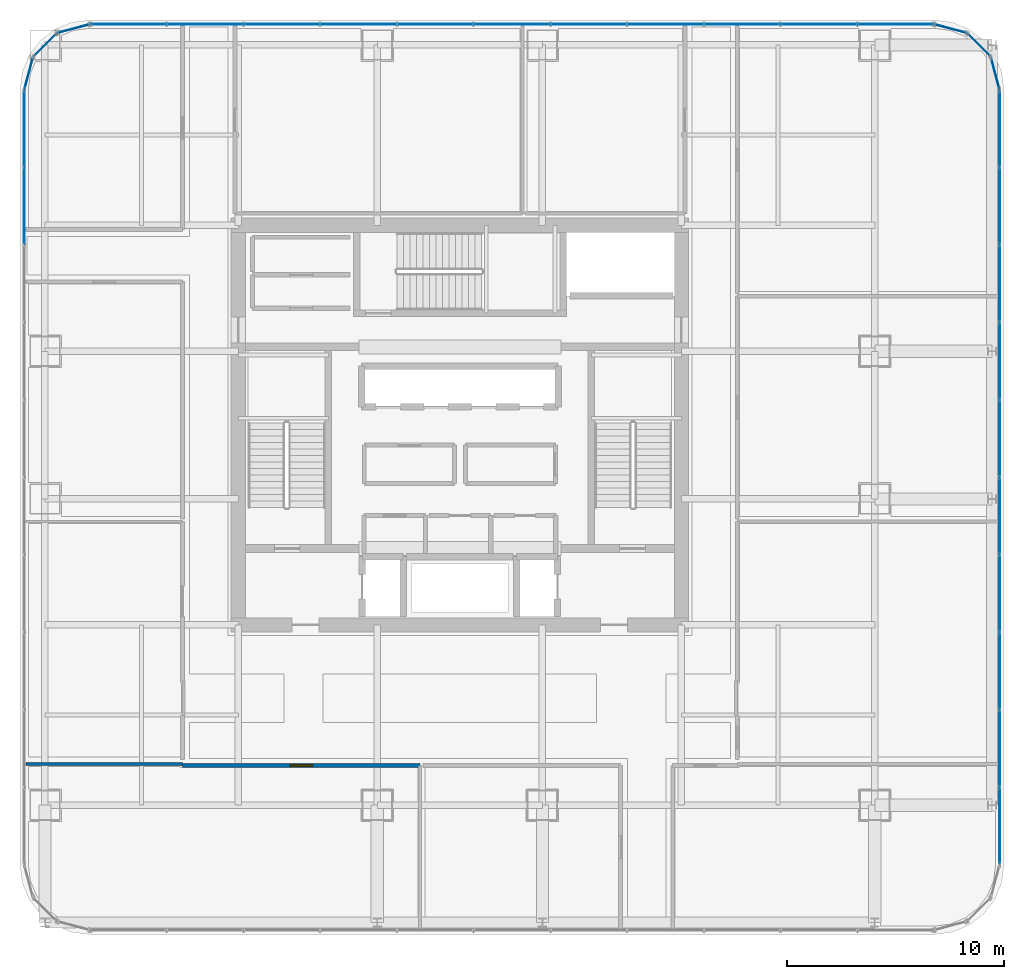
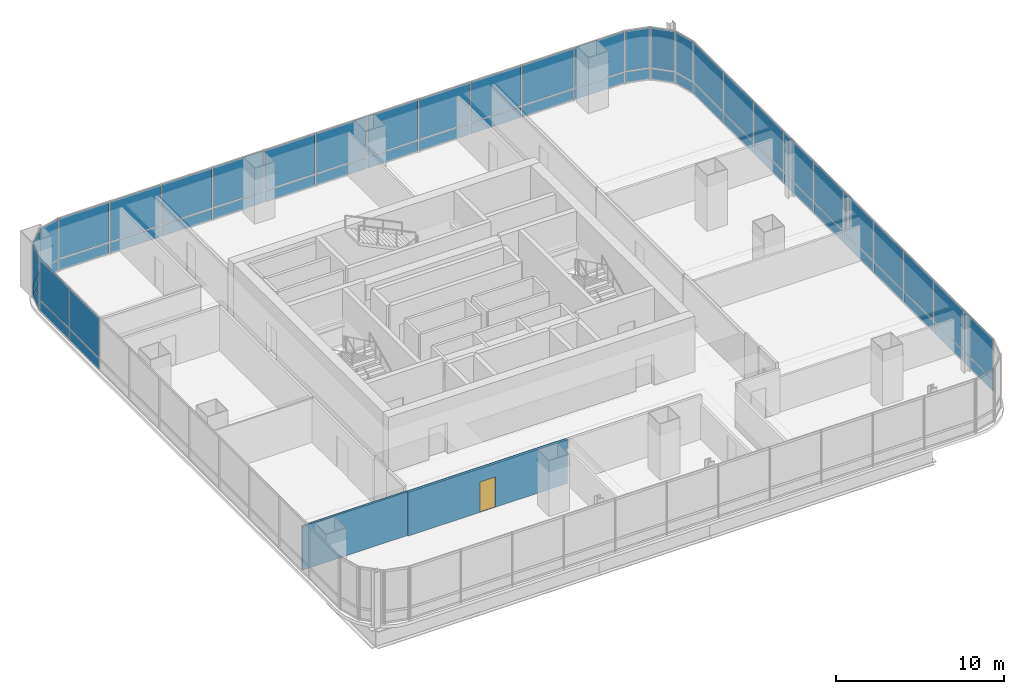
# One storey, part 28 of 36: 58 plates, 2 walls, 1 door, 1 opening, 9 elements without a shape of their own.
"""IFC4 building model written with IfcOpenShell, lengths in metres."""

from ifc_helpers import new_model, si_unit, direction, frame, frame_2d, origin, origin_2d, place, context, subcontext, project, spatial, rectangle, extrude, material, layer, layer_set, type_object, element, fill, aggregate, save


model = new_model("IFC4")

# Units and contexts
model_context = context("Model", 3, precision=1e-05, world=origin(), true_north=direction((0.0, 1.0)))
body_context = subcontext(model_context, "Body", "Model", "MODEL_VIEW")
ifc_project = project(units=[si_unit("LENGTHUNIT", "METRE"), si_unit("AREAUNIT", "SQUARE_METRE"), si_unit("VOLUMEUNIT", "CUBIC_METRE"), si_unit("PLANEANGLEUNIT", "RADIAN"), si_unit("MASSUNIT", "GRAM", prefix="KILO")], contexts=[model_context])

# Site, building, storey
site_placement = place(None, origin())
site = spatial("IfcSite", under=ifc_project, at=site_placement, CompositionType="ELEMENT")
building_placement = place(site_placement, origin())
building = spatial("IfcBuilding", under=site, at=building_placement, Name="Punatoya Terracotta Tower", CompositionType="ELEMENT")
storey_placement = place(building_placement, frame((0.0, 0.0, 208.64990234375)))
storey = spatial("IfcBuildingStorey", under=building, at=storey_placement, Name="L49", CompositionType="ELEMENT", Elevation=208.64990234375)

# Curtain wall, plates
ifc_material_1 = material(Name="Aluminium 6063-T6 + Double Low-E Glass", Category="aluminium")
curtain_wall_type = type_object("IfcCurtainWallType", Name="CW-M2", PredefinedType="NOTDEFINED", material=ifc_material_1)
curtain_wall_1_placement = place(storey_placement, origin())
curtain_wall_1 = element("IfcCurtainWall", 1, at=curtain_wall_1_placement, inside=storey, type_object=curtain_wall_type, Name="L49 Curtain Wall CW-L49-E05-1", PredefinedType="NOTDEFINED")
ifc_material_2 = material(Name="Double Low-E Acoustic Vision Glass", Category="glass")
ifc_layer_1 = layer(ifc_material_2, 0.031982421875)
ifc_layer_set_1 = layer_set([ifc_layer_1], Name="Double Low-E Acoustic Vision Glass")
plate_type_1 = type_object("IfcPlateType", Name="PLT-GLZ-32", PredefinedType="CURTAIN_PANEL", material=ifc_layer_set_1)
plate_1_placement = place(storey_placement, frame((24.85009765625, -18.453125, 0.89013671875), z_axis=(0.0, 0.0, 1.0), x_axis=(0.0, 1.0, 0.0)))
plate_1 = element("IfcPlate", 2, at=plate_1_placement, type_object=plate_type_1, Name="CW-L49-E05-1 Vision Glass Panel 1", PredefinedType="CURTAIN_PANEL", context=body_context, shape_type="SweptSolid", body=[
    extrude(rectangle(XDim=3.482421875, YDim=0.031982421875, at=origin_2d()), origin(), (0.0, 0.0, 1.0), 2.89990234375),
])
plate_2_placement = place(storey_placement, frame((24.85009765625, -14.8857421875, 0.89013671875), z_axis=(0.0, 0.0, 1.0), x_axis=(0.0, 1.0, 0.0)))
plate_2 = element("IfcPlate", 3, at=plate_2_placement, type_object=plate_type_1, Name="CW-L49-E05-1 Vision Glass Panel 2", PredefinedType="CURTAIN_PANEL", context=body_context, shape_type="SweptSolid", body=[
    extrude(rectangle(XDim=3.482421875, YDim=0.031982421875, at=origin_2d()), origin(), (0.0, 0.0, 1.0), 2.89990234375),
])
plate_3_placement = place(storey_placement, frame((24.85009765625, -11.318359375, 0.89013671875), z_axis=(0.0, 0.0, 1.0), x_axis=(0.0, 1.0, 0.0)))
plate_3 = element("IfcPlate", 4, at=plate_3_placement, type_object=plate_type_1, Name="CW-L49-E05-1 Vision Glass Panel 3", PredefinedType="CURTAIN_PANEL", context=body_context, shape_type="SweptSolid", body=[
    extrude(rectangle(XDim=3.482421875, YDim=0.031982421875, at=origin_2d()), origin(), (0.0, 0.0, 1.0), 2.89990234375),
])
plate_4_placement = place(storey_placement, frame((24.85009765625, -7.751220703125, 0.89013671875), z_axis=(0.0, 0.0, 1.0), x_axis=(0.0, 1.0, 0.0)))
plate_4 = element("IfcPlate", 5, at=plate_4_placement, type_object=plate_type_1, Name="CW-L49-E05-1 Vision Glass Panel 4", PredefinedType="CURTAIN_PANEL", context=body_context, shape_type="SweptSolid", body=[
    extrude(rectangle(XDim=3.482421875, YDim=0.031982421875, at=origin_2d()), origin(), (0.0, 0.0, 1.0), 2.89990234375),
])
plate_5_placement = place(storey_placement, frame((24.85009765625, -4.18359375, 0.89013671875), z_axis=(0.0, 0.0, 1.0), x_axis=(0.0, 1.0, 0.0)))
plate_5 = element("IfcPlate", 6, at=plate_5_placement, type_object=plate_type_1, Name="CW-L49-E05-1 Vision Glass Panel 5", PredefinedType="CURTAIN_PANEL", context=body_context, shape_type="SweptSolid", body=[
    extrude(rectangle(XDim=3.482421875, YDim=0.031982421875, at=origin_2d()), origin(), (0.0, 0.0, 1.0), 2.89990234375),
])
plate_6_placement = place(storey_placement, frame((24.85009765625, -0.6162109375, 0.89013671875), z_axis=(0.0, 0.0, 1.0), x_axis=(0.0, 1.0, 0.0)))
plate_6 = element("IfcPlate", 7, at=plate_6_placement, type_object=plate_type_1, Name="CW-L49-E05-1 Vision Glass Panel 6", PredefinedType="CURTAIN_PANEL", context=body_context, shape_type="SweptSolid", body=[
    extrude(rectangle(XDim=3.482421875, YDim=0.031982421875, at=origin_2d()), origin(), (0.0, 0.0, 1.0), 2.89990234375),
])
plate_7_placement = place(storey_placement, frame((24.85009765625, 2.951171875, 0.89013671875), z_axis=(0.0, 0.0, 1.0), x_axis=(0.0, 1.0, 0.0)))
plate_7 = element("IfcPlate", 8, at=plate_7_placement, type_object=plate_type_1, Name="CW-L49-E05-1 Vision Glass Panel 7", PredefinedType="CURTAIN_PANEL", context=body_context, shape_type="SweptSolid", body=[
    extrude(rectangle(XDim=3.482421875, YDim=0.031982421875, at=origin_2d()), origin(), (0.0, 0.0, 1.0), 2.89990234375),
])
plate_8_placement = place(storey_placement, frame((24.85009765625, 6.518310546875, 0.89013671875), z_axis=(0.0, 0.0, 1.0), x_axis=(0.0, 1.0, 0.0)))
plate_8 = element("IfcPlate", 9, at=plate_8_placement, type_object=plate_type_1, Name="CW-L49-E05-1 Vision Glass Panel 8", PredefinedType="CURTAIN_PANEL", context=body_context, shape_type="SweptSolid", body=[
    extrude(rectangle(XDim=3.482421875, YDim=0.031982421875, at=origin_2d()), origin(), (0.0, 0.0, 1.0), 2.89990234375),
])
plate_9_placement = place(storey_placement, frame((24.85009765625, 10.085693359375, 0.89013671875), z_axis=(0.0, 0.0, 1.0), x_axis=(0.0, 1.0, 0.0)))
plate_9 = element("IfcPlate", 10, at=plate_9_placement, type_object=plate_type_1, Name="CW-L49-E05-1 Vision Glass Panel 9", PredefinedType="CURTAIN_PANEL", context=body_context, shape_type="SweptSolid", body=[
    extrude(rectangle(XDim=3.482421875, YDim=0.031982421875, at=origin_2d()), origin(), (0.0, 0.0, 1.0), 2.89990234375),
])
plate_10_placement = place(storey_placement, frame((24.85009765625, 13.6533203125, 0.89013671875), z_axis=(0.0, 0.0, 1.0), x_axis=(0.0, 1.0, 0.0)))
plate_10 = element("IfcPlate", 11, at=plate_10_placement, type_object=plate_type_1, Name="CW-L49-E05-1 Vision Glass Panel 10", PredefinedType="CURTAIN_PANEL", context=body_context, shape_type="SweptSolid", body=[
    extrude(rectangle(XDim=3.482421875, YDim=0.031982421875, at=origin_2d()), origin(), (0.0, 0.0, 1.0), 2.89990234375),
])

# Curtain wall, plate
curtain_wall_2_placement = place(storey_placement, origin())
curtain_wall_2 = element("IfcCurtainWall", 12, at=curtain_wall_2_placement, inside=storey, type_object=curtain_wall_type, Name="L49 Curtain Wall CW-L49-CRN06", PredefinedType="NOTDEFINED")
plate_11_placement = place(storey_placement, frame((24.648193359375, 16.193115234375, 0.89013671875), z_axis=(0.0, 0.0, 1.0), x_axis=(-0.257741620719, 0.966213877436, 0.0)))
plate_11 = element("IfcPlate", 13, at=plate_11_placement, type_object=plate_type_1, Name="CW-L49-CRN06 Vision Glass Panel 1", PredefinedType="CURTAIN_PANEL", context=body_context, shape_type="SweptSolid", body=[
    extrude(rectangle(XDim=1.47998046875, YDim=0.031982421875, at=origin_2d()), origin(), (0.0, 0.0, 1.0), 2.89990234375),
])

curtain_wall_3_placement = place(storey_placement, origin())
curtain_wall_3 = element("IfcCurtainWall", 14, at=curtain_wall_3_placement, inside=storey, type_object=curtain_wall_type, Name="L49 Curtain Wall CW-L49-CRN07", PredefinedType="NOTDEFINED")
plate_12_placement = place(storey_placement, frame((23.89794921875, 17.497802734375, 0.89013671875), z_axis=(0.0, 0.0, 1.0), x_axis=(-0.707106781187, 0.707106781187, 0.0)))
plate_12 = element("IfcPlate", 15, at=plate_12_placement, type_object=plate_type_1, Name="CW-L49-CRN07 Vision Glass Panel 1", PredefinedType="CURTAIN_PANEL", context=body_context, shape_type="SweptSolid", body=[
    extrude(rectangle(XDim=1.467041015625, YDim=0.031982421875, at=origin_2d()), origin(), (0.0, 0.0, 1.0), 2.89990234375),
])

curtain_wall_4_placement = place(storey_placement, origin())
curtain_wall_4 = element("IfcCurtainWall", 16, at=curtain_wall_4_placement, inside=storey, type_object=curtain_wall_type, Name="L49 Curtain Wall CW-L49-CRN08", PredefinedType="NOTDEFINED")
plate_13_placement = place(storey_placement, frame((22.593017578125, 18.248291015625, 0.89013671875), z_axis=(0.0, 0.0, 1.0), x_axis=(-0.966213877436, 0.257741620719, 0.0)))
plate_13 = element("IfcPlate", 17, at=plate_13_placement, type_object=plate_type_1, Name="CW-L49-CRN08 Vision Glass Panel 1", PredefinedType="CURTAIN_PANEL", context=body_context, shape_type="SweptSolid", body=[
    extrude(rectangle(XDim=1.47998046875, YDim=0.031982421875, at=origin_2d()), origin(), (0.0, 0.0, 1.0), 2.89990234375),
])

# Curtain wall, plates
curtain_wall_5_placement = place(storey_placement, origin())
curtain_wall_5 = element("IfcCurtainWall", 18, at=curtain_wall_5_placement, inside=storey, type_object=curtain_wall_type, Name="L49 Curtain Wall CW-L49-N09-1", PredefinedType="NOTDEFINED")
plate_14_placement = place(storey_placement, frame((20.06982421875, 18.449951171875, 0.89013671875), z_axis=(0.0, 0.0, 1.0), x_axis=(-1.0, 0.0, 0.0)))
plate_14 = element("IfcPlate", 19, at=plate_14_placement, type_object=plate_type_1, Name="CW-L49-N09-1 Vision Glass Panel 1", PredefinedType="CURTAIN_PANEL", context=body_context, shape_type="SweptSolid", body=[
    extrude(rectangle(XDim=3.448974609375, YDim=0.031982421875, at=origin_2d()), origin(), (0.0, 0.0, 1.0), 2.89990234375),
])
plate_15_placement = place(storey_placement, frame((16.535888671875, 18.449951171875, 0.89013671875), z_axis=(0.0, 0.0, 1.0), x_axis=(-1.0, 0.0, 0.0)))
plate_15 = element("IfcPlate", 20, at=plate_15_placement, type_object=plate_type_1, Name="CW-L49-N09-1 Vision Glass Panel 2", PredefinedType="CURTAIN_PANEL", context=body_context, shape_type="SweptSolid", body=[
    extrude(rectangle(XDim=3.448974609375, YDim=0.031982421875, at=origin_2d()), origin(), (0.0, 0.0, 1.0), 2.89990234375),
])
plate_16_placement = place(storey_placement, frame((13.001953125, 18.449951171875, 0.89013671875), z_axis=(0.0, 0.0, 1.0), x_axis=(-1.0, 0.0, 0.0)))
plate_16 = element("IfcPlate", 21, at=plate_16_placement, type_object=plate_type_1, Name="CW-L49-N09-1 Vision Glass Panel 3", PredefinedType="CURTAIN_PANEL", context=body_context, shape_type="SweptSolid", body=[
    extrude(rectangle(XDim=3.448974609375, YDim=0.031982421875, at=origin_2d()), origin(), (0.0, 0.0, 1.0), 2.89990234375),
])
plate_17_placement = place(storey_placement, frame((9.468017578125, 18.449951171875, 0.89013671875), z_axis=(0.0, 0.0, 1.0), x_axis=(-1.0, 0.0, 0.0)))
plate_17 = element("IfcPlate", 22, at=plate_17_placement, type_object=plate_type_1, Name="CW-L49-N09-1 Vision Glass Panel 4", PredefinedType="CURTAIN_PANEL", context=body_context, shape_type="SweptSolid", body=[
    extrude(rectangle(XDim=3.448974609375, YDim=0.031982421875, at=origin_2d()), origin(), (0.0, 0.0, 1.0), 2.89990234375),
])
plate_18_placement = place(storey_placement, frame((5.93408203125, 18.449951171875, 0.89013671875), z_axis=(0.0, 0.0, 1.0), x_axis=(-1.0, 0.0, 0.0)))
plate_18 = element("IfcPlate", 23, at=plate_18_placement, type_object=plate_type_1, Name="CW-L49-N09-1 Vision Glass Panel 5", PredefinedType="CURTAIN_PANEL", context=body_context, shape_type="SweptSolid", body=[
    extrude(rectangle(XDim=3.448974609375, YDim=0.031982421875, at=origin_2d()), origin(), (0.0, 0.0, 1.0), 2.89990234375),
])
plate_19_placement = place(storey_placement, frame((2.39990234375, 18.449951171875, 0.89013671875), z_axis=(0.0, 0.0, 1.0), x_axis=(-1.0, 0.0, 0.0)))
plate_19 = element("IfcPlate", 24, at=plate_19_placement, type_object=plate_type_1, Name="CW-L49-N09-1 Vision Glass Panel 6", PredefinedType="CURTAIN_PANEL", context=body_context, shape_type="SweptSolid", body=[
    extrude(rectangle(XDim=3.448974609375, YDim=0.031982421875, at=origin_2d()), origin(), (0.0, 0.0, 1.0), 2.89990234375),
])
plate_20_placement = place(storey_placement, frame((-1.134033203125, 18.449951171875, 0.89013671875), z_axis=(0.0, 0.0, 1.0), x_axis=(-1.0, 0.0, 0.0)))
plate_20 = element("IfcPlate", 25, at=plate_20_placement, type_object=plate_type_1, Name="CW-L49-N09-1 Vision Glass Panel 7", PredefinedType="CURTAIN_PANEL", context=body_context, shape_type="SweptSolid", body=[
    extrude(rectangle(XDim=3.448974609375, YDim=0.031982421875, at=origin_2d()), origin(), (0.0, 0.0, 1.0), 2.89990234375),
])
plate_21_placement = place(storey_placement, frame((-4.66796875, 18.449951171875, 0.89013671875), z_axis=(0.0, 0.0, 1.0), x_axis=(-1.0, 0.0, 0.0)))
plate_21 = element("IfcPlate", 26, at=plate_21_placement, type_object=plate_type_1, Name="CW-L49-N09-1 Vision Glass Panel 8", PredefinedType="CURTAIN_PANEL", context=body_context, shape_type="SweptSolid", body=[
    extrude(rectangle(XDim=3.448974609375, YDim=0.031982421875, at=origin_2d()), origin(), (0.0, 0.0, 1.0), 2.89990234375),
])
plate_22_placement = place(storey_placement, frame((-8.201904296875, 18.449951171875, 0.89013671875), z_axis=(0.0, 0.0, 1.0), x_axis=(-1.0, 0.0, 0.0)))
plate_22 = element("IfcPlate", 27, at=plate_22_placement, type_object=plate_type_1, Name="CW-L49-N09-1 Vision Glass Panel 9", PredefinedType="CURTAIN_PANEL", context=body_context, shape_type="SweptSolid", body=[
    extrude(rectangle(XDim=3.448974609375, YDim=0.031982421875, at=origin_2d()), origin(), (0.0, 0.0, 1.0), 2.89990234375),
])
plate_23_placement = place(storey_placement, frame((-11.73583984375, 18.449951171875, 0.89013671875), z_axis=(0.0, 0.0, 1.0), x_axis=(-1.0, 0.0, 0.0)))
plate_23 = element("IfcPlate", 28, at=plate_23_placement, type_object=plate_type_1, Name="CW-L49-N09-1 Vision Glass Panel 10", PredefinedType="CURTAIN_PANEL", context=body_context, shape_type="SweptSolid", body=[
    extrude(rectangle(XDim=3.448974609375, YDim=0.031982421875, at=origin_2d()), origin(), (0.0, 0.0, 1.0), 2.89990234375),
])
plate_24_placement = place(storey_placement, frame((-15.27001953125, 18.449951171875, 0.89013671875), z_axis=(0.0, 0.0, 1.0), x_axis=(-1.0, 0.0, 0.0)))
plate_24 = element("IfcPlate", 29, at=plate_24_placement, type_object=plate_type_1, Name="CW-L49-N09-1 Vision Glass Panel 11", PredefinedType="CURTAIN_PANEL", context=body_context, shape_type="SweptSolid", body=[
    extrude(rectangle(XDim=3.448974609375, YDim=0.031982421875, at=origin_2d()), origin(), (0.0, 0.0, 1.0), 2.89990234375),
])

# Curtain wall, plate
curtain_wall_6_placement = place(storey_placement, origin())
curtain_wall_6 = element("IfcCurtainWall", 30, at=curtain_wall_6_placement, inside=storey, type_object=curtain_wall_type, Name="L49 Curtain Wall CW-L49-CRN10", PredefinedType="NOTDEFINED")
plate_25_placement = place(storey_placement, frame((-17.79296875, 18.248291015625, 0.89013671875), z_axis=(0.0, 0.0, 1.0), x_axis=(-0.966213877436, -0.257741620719, 0.0)))
plate_25 = element("IfcPlate", 31, at=plate_25_placement, type_object=plate_type_1, Name="CW-L49-CRN10 Vision Glass Panel 1", PredefinedType="CURTAIN_PANEL", context=body_context, shape_type="SweptSolid", body=[
    extrude(rectangle(XDim=1.47998046875, YDim=0.031982421875, at=origin_2d()), origin(), (0.0, 0.0, 1.0), 2.89990234375),
])

curtain_wall_7_placement = place(storey_placement, origin())
curtain_wall_7 = element("IfcCurtainWall", 32, at=curtain_wall_7_placement, inside=storey, type_object=curtain_wall_type, Name="L49 Curtain Wall CW-L49-CRN11", PredefinedType="NOTDEFINED")
plate_26_placement = place(storey_placement, frame((-19.097900390625, 17.497802734375, 0.89013671875), z_axis=(0.0, 0.0, 1.0), x_axis=(-0.707106781187, -0.707106781187, 0.0)))
plate_26 = element("IfcPlate", 33, at=plate_26_placement, type_object=plate_type_1, Name="CW-L49-CRN11 Vision Glass Panel 1", PredefinedType="CURTAIN_PANEL", context=body_context, shape_type="SweptSolid", body=[
    extrude(rectangle(XDim=1.467041015625, YDim=0.031982421875, at=origin_2d()), origin(), (0.0, 0.0, 1.0), 2.89990234375),
])

curtain_wall_8_placement = place(storey_placement, origin())
curtain_wall_8 = element("IfcCurtainWall", 34, at=curtain_wall_8_placement, inside=storey, type_object=curtain_wall_type, Name="L49 Curtain Wall CW-L49-CRN12", PredefinedType="NOTDEFINED")
plate_27_placement = place(storey_placement, frame((-19.848388671875, 16.193115234375, 0.89013671875), z_axis=(0.0, 0.0, 1.0), x_axis=(-0.257741620719, -0.966213877436, 0.0)))
plate_27 = element("IfcPlate", 35, at=plate_27_placement, type_object=plate_type_1, Name="CW-L49-CRN12 Vision Glass Panel 1", PredefinedType="CURTAIN_PANEL", context=body_context, shape_type="SweptSolid", body=[
    extrude(rectangle(XDim=1.47998046875, YDim=0.031982421875, at=origin_2d()), origin(), (0.0, 0.0, 1.0), 2.89990234375),
])

# Curtain wall, plates
curtain_wall_9_placement = place(storey_placement, origin())
curtain_wall_9 = element("IfcCurtainWall", 36, at=curtain_wall_9_placement, inside=storey, type_object=curtain_wall_type, Name="L49 Curtain Wall CW-L49-W13-1", PredefinedType="NOTDEFINED")
plate_28_placement = place(storey_placement, frame((-20.050048828125, 13.6533203125, 0.89013671875), z_axis=(0.0, 0.0, 1.0), x_axis=(0.0, -1.0, 0.0)))
plate_28 = element("IfcPlate", 37, at=plate_28_placement, type_object=plate_type_1, Name="CW-L49-W13-1 Vision Glass Panel 1", PredefinedType="CURTAIN_PANEL", context=body_context, shape_type="SweptSolid", body=[
    extrude(rectangle(XDim=3.482421875, YDim=0.031982421875, at=origin_2d()), origin(), (0.0, 0.0, 1.0), 2.89990234375),
])
plate_29_placement = place(storey_placement, frame((-20.050048828125, 10.085693359375, 0.89013671875), z_axis=(0.0, 0.0, 1.0), x_axis=(0.0, -1.0, 0.0)))
plate_29 = element("IfcPlate", 38, at=plate_29_placement, type_object=plate_type_1, Name="CW-L49-W13-1 Vision Glass Panel 2", PredefinedType="CURTAIN_PANEL", context=body_context, shape_type="SweptSolid", body=[
    extrude(rectangle(XDim=3.482421875, YDim=0.031982421875, at=origin_2d()), origin(), (0.0, 0.0, 1.0), 2.89990234375),
])

# Plate
ifc_material_3 = material(Name="Insulated Terracotta-Backed Spandrel Panel", Category="masonry")
ifc_layer_2 = layer(ifc_material_3, 0.044921875)
ifc_layer_set_2 = layer_set([ifc_layer_2], Name="Insulated Terracotta-Backed Spandrel Panel")
plate_type_2 = type_object("IfcPlateType", Name="PLT-SPN-45", PredefinedType="CURTAIN_PANEL", material=ifc_layer_set_2)
plate_30_placement = place(storey_placement, frame((24.85009765625, -18.453125, 0.0400390625), z_axis=(0.0, 0.0, 1.0), x_axis=(0.0, 1.0, 0.0)))
plate_30 = element("IfcPlate", 39, at=plate_30_placement, type_object=plate_type_2, Name="CW-L49-E05-1 Terracotta Spandrel Panel 1", PredefinedType="CURTAIN_PANEL", context=body_context, shape_type="SweptSolid", body=[
    extrude(rectangle(XDim=3.482421875, YDim=0.044921875, at=origin_2d()), origin(), (0.0, 0.0, 1.0), 0.77490234375),
])

plate_31_placement = place(storey_placement, frame((24.85009765625, -14.8857421875, 0.0400390625), z_axis=(0.0, 0.0, 1.0), x_axis=(0.0, 1.0, 0.0)))
plate_31 = element("IfcPlate", 40, at=plate_31_placement, type_object=plate_type_2, Name="CW-L49-E05-1 Terracotta Spandrel Panel 2", PredefinedType="CURTAIN_PANEL", context=body_context, shape_type="SweptSolid", body=[
    extrude(rectangle(XDim=3.482421875, YDim=0.044921875, at=origin_2d()), origin(), (0.0, 0.0, 1.0), 0.77490234375),
])

plate_32_placement = place(storey_placement, frame((24.85009765625, -11.318359375, 0.0400390625), z_axis=(0.0, 0.0, 1.0), x_axis=(0.0, 1.0, 0.0)))
plate_32 = element("IfcPlate", 41, at=plate_32_placement, type_object=plate_type_2, Name="CW-L49-E05-1 Terracotta Spandrel Panel 3", PredefinedType="CURTAIN_PANEL", context=body_context, shape_type="SweptSolid", body=[
    extrude(rectangle(XDim=3.482421875, YDim=0.044921875, at=origin_2d()), origin(), (0.0, 0.0, 1.0), 0.77490234375),
])

plate_33_placement = place(storey_placement, frame((24.85009765625, -7.751220703125, 0.0400390625), z_axis=(0.0, 0.0, 1.0), x_axis=(0.0, 1.0, 0.0)))
plate_33 = element("IfcPlate", 42, at=plate_33_placement, type_object=plate_type_2, Name="CW-L49-E05-1 Terracotta Spandrel Panel 4", PredefinedType="CURTAIN_PANEL", context=body_context, shape_type="SweptSolid", body=[
    extrude(rectangle(XDim=3.482421875, YDim=0.044921875, at=origin_2d()), origin(), (0.0, 0.0, 1.0), 0.77490234375),
])

plate_34_placement = place(storey_placement, frame((24.85009765625, -4.18359375, 0.0400390625), z_axis=(0.0, 0.0, 1.0), x_axis=(0.0, 1.0, 0.0)))
plate_34 = element("IfcPlate", 43, at=plate_34_placement, type_object=plate_type_2, Name="CW-L49-E05-1 Terracotta Spandrel Panel 5", PredefinedType="CURTAIN_PANEL", context=body_context, shape_type="SweptSolid", body=[
    extrude(rectangle(XDim=3.482421875, YDim=0.044921875, at=origin_2d()), origin(), (0.0, 0.0, 1.0), 0.77490234375),
])

plate_35_placement = place(storey_placement, frame((24.85009765625, -0.6162109375, 0.0400390625), z_axis=(0.0, 0.0, 1.0), x_axis=(0.0, 1.0, 0.0)))
plate_35 = element("IfcPlate", 44, at=plate_35_placement, type_object=plate_type_2, Name="CW-L49-E05-1 Terracotta Spandrel Panel 6", PredefinedType="CURTAIN_PANEL", context=body_context, shape_type="SweptSolid", body=[
    extrude(rectangle(XDim=3.482421875, YDim=0.044921875, at=origin_2d()), origin(), (0.0, 0.0, 1.0), 0.77490234375),
])

plate_36_placement = place(storey_placement, frame((24.85009765625, 2.951171875, 0.0400390625), z_axis=(0.0, 0.0, 1.0), x_axis=(0.0, 1.0, 0.0)))
plate_36 = element("IfcPlate", 45, at=plate_36_placement, type_object=plate_type_2, Name="CW-L49-E05-1 Terracotta Spandrel Panel 7", PredefinedType="CURTAIN_PANEL", context=body_context, shape_type="SweptSolid", body=[
    extrude(rectangle(XDim=3.482421875, YDim=0.044921875, at=origin_2d()), origin(), (0.0, 0.0, 1.0), 0.77490234375),
])

plate_37_placement = place(storey_placement, frame((24.85009765625, 6.518310546875, 0.0400390625), z_axis=(0.0, 0.0, 1.0), x_axis=(0.0, 1.0, 0.0)))
plate_37 = element("IfcPlate", 46, at=plate_37_placement, type_object=plate_type_2, Name="CW-L49-E05-1 Terracotta Spandrel Panel 8", PredefinedType="CURTAIN_PANEL", context=body_context, shape_type="SweptSolid", body=[
    extrude(rectangle(XDim=3.482421875, YDim=0.044921875, at=origin_2d()), origin(), (0.0, 0.0, 1.0), 0.77490234375),
])

plate_38_placement = place(storey_placement, frame((24.85009765625, 10.085693359375, 0.0400390625), z_axis=(0.0, 0.0, 1.0), x_axis=(0.0, 1.0, 0.0)))
plate_38 = element("IfcPlate", 47, at=plate_38_placement, type_object=plate_type_2, Name="CW-L49-E05-1 Terracotta Spandrel Panel 9", PredefinedType="CURTAIN_PANEL", context=body_context, shape_type="SweptSolid", body=[
    extrude(rectangle(XDim=3.482421875, YDim=0.044921875, at=origin_2d()), origin(), (0.0, 0.0, 1.0), 0.77490234375),
])

plate_39_placement = place(storey_placement, frame((24.85009765625, 13.6533203125, 0.0400390625), z_axis=(0.0, 0.0, 1.0), x_axis=(0.0, 1.0, 0.0)))
plate_39 = element("IfcPlate", 48, at=plate_39_placement, type_object=plate_type_2, Name="CW-L49-E05-1 Terracotta Spandrel Panel 10", PredefinedType="CURTAIN_PANEL", context=body_context, shape_type="SweptSolid", body=[
    extrude(rectangle(XDim=3.482421875, YDim=0.044921875, at=origin_2d()), origin(), (0.0, 0.0, 1.0), 0.77490234375),
])

aggregate(curtain_wall_1, [plate_30, plate_1, plate_31, plate_2, plate_32, plate_3, plate_33, plate_4, plate_34, plate_5, plate_35, plate_6, plate_36, plate_7, plate_37, plate_8, plate_38, plate_9, plate_39, plate_10])

plate_40_placement = place(storey_placement, frame((24.648193359375, 16.193115234375, 0.0400390625), z_axis=(0.0, 0.0, 1.0), x_axis=(-0.257741620719, 0.966213877436, 0.0)))
plate_40 = element("IfcPlate", 49, at=plate_40_placement, type_object=plate_type_2, Name="CW-L49-CRN06 Terracotta Spandrel Panel 1", PredefinedType="CURTAIN_PANEL", context=body_context, shape_type="SweptSolid", body=[
    extrude(rectangle(XDim=1.47998046875, YDim=0.044921875, at=origin_2d()), origin(), (0.0, 0.0, 1.0), 0.77490234375),
])

aggregate(curtain_wall_2, [plate_40, plate_11])

plate_41_placement = place(storey_placement, frame((23.89794921875, 17.497802734375, 0.0400390625), z_axis=(0.0, 0.0, 1.0), x_axis=(-0.707106781187, 0.707106781187, 0.0)))
plate_41 = element("IfcPlate", 50, at=plate_41_placement, type_object=plate_type_2, Name="CW-L49-CRN07 Terracotta Spandrel Panel 1", PredefinedType="CURTAIN_PANEL", context=body_context, shape_type="SweptSolid", body=[
    extrude(rectangle(XDim=1.467041015625, YDim=0.044921875, at=origin_2d()), origin(), (0.0, 0.0, 1.0), 0.77490234375),
])

aggregate(curtain_wall_3, [plate_41, plate_12])

plate_42_placement = place(storey_placement, frame((22.593017578125, 18.248291015625, 0.0400390625), z_axis=(0.0, 0.0, 1.0), x_axis=(-0.966213877436, 0.257741620719, 0.0)))
plate_42 = element("IfcPlate", 51, at=plate_42_placement, type_object=plate_type_2, Name="CW-L49-CRN08 Terracotta Spandrel Panel 1", PredefinedType="CURTAIN_PANEL", context=body_context, shape_type="SweptSolid", body=[
    extrude(rectangle(XDim=1.47998046875, YDim=0.044921875, at=origin_2d()), origin(), (0.0, 0.0, 1.0), 0.77490234375),
])

aggregate(curtain_wall_4, [plate_42, plate_13])

plate_43_placement = place(storey_placement, frame((20.06982421875, 18.449951171875, 0.0400390625), z_axis=(0.0, 0.0, 1.0), x_axis=(-1.0, 0.0, 0.0)))
plate_43 = element("IfcPlate", 52, at=plate_43_placement, type_object=plate_type_2, Name="CW-L49-N09-1 Terracotta Spandrel Panel 1", PredefinedType="CURTAIN_PANEL", context=body_context, shape_type="SweptSolid", body=[
    extrude(rectangle(XDim=3.448974609375, YDim=0.044921875, at=origin_2d()), origin(), (0.0, 0.0, 1.0), 0.77490234375),
])

plate_44_placement = place(storey_placement, frame((16.535888671875, 18.449951171875, 0.0400390625), z_axis=(0.0, 0.0, 1.0), x_axis=(-1.0, 0.0, 0.0)))
plate_44 = element("IfcPlate", 53, at=plate_44_placement, type_object=plate_type_2, Name="CW-L49-N09-1 Terracotta Spandrel Panel 2", PredefinedType="CURTAIN_PANEL", context=body_context, shape_type="SweptSolid", body=[
    extrude(rectangle(XDim=3.448974609375, YDim=0.044921875, at=origin_2d()), origin(), (0.0, 0.0, 1.0), 0.77490234375),
])

plate_45_placement = place(storey_placement, frame((13.001953125, 18.449951171875, 0.0400390625), z_axis=(0.0, 0.0, 1.0), x_axis=(-1.0, 0.0, 0.0)))
plate_45 = element("IfcPlate", 54, at=plate_45_placement, type_object=plate_type_2, Name="CW-L49-N09-1 Terracotta Spandrel Panel 3", PredefinedType="CURTAIN_PANEL", context=body_context, shape_type="SweptSolid", body=[
    extrude(rectangle(XDim=3.448974609375, YDim=0.044921875, at=origin_2d()), origin(), (0.0, 0.0, 1.0), 0.77490234375),
])

plate_46_placement = place(storey_placement, frame((9.468017578125, 18.449951171875, 0.0400390625), z_axis=(0.0, 0.0, 1.0), x_axis=(-1.0, 0.0, 0.0)))
plate_46 = element("IfcPlate", 55, at=plate_46_placement, type_object=plate_type_2, Name="CW-L49-N09-1 Terracotta Spandrel Panel 4", PredefinedType="CURTAIN_PANEL", context=body_context, shape_type="SweptSolid", body=[
    extrude(rectangle(XDim=3.448974609375, YDim=0.044921875, at=origin_2d()), origin(), (0.0, 0.0, 1.0), 0.77490234375),
])

plate_47_placement = place(storey_placement, frame((5.93408203125, 18.449951171875, 0.0400390625), z_axis=(0.0, 0.0, 1.0), x_axis=(-1.0, 0.0, 0.0)))
plate_47 = element("IfcPlate", 56, at=plate_47_placement, type_object=plate_type_2, Name="CW-L49-N09-1 Terracotta Spandrel Panel 5", PredefinedType="CURTAIN_PANEL", context=body_context, shape_type="SweptSolid", body=[
    extrude(rectangle(XDim=3.448974609375, YDim=0.044921875, at=origin_2d()), origin(), (0.0, 0.0, 1.0), 0.77490234375),
])

plate_48_placement = place(storey_placement, frame((2.39990234375, 18.449951171875, 0.0400390625), z_axis=(0.0, 0.0, 1.0), x_axis=(-1.0, 0.0, 0.0)))
plate_48 = element("IfcPlate", 57, at=plate_48_placement, type_object=plate_type_2, Name="CW-L49-N09-1 Terracotta Spandrel Panel 6", PredefinedType="CURTAIN_PANEL", context=body_context, shape_type="SweptSolid", body=[
    extrude(rectangle(XDim=3.448974609375, YDim=0.044921875, at=origin_2d()), origin(), (0.0, 0.0, 1.0), 0.77490234375),
])

plate_49_placement = place(storey_placement, frame((-1.134033203125, 18.449951171875, 0.0400390625), z_axis=(0.0, 0.0, 1.0), x_axis=(-1.0, 0.0, 0.0)))
plate_49 = element("IfcPlate", 58, at=plate_49_placement, type_object=plate_type_2, Name="CW-L49-N09-1 Terracotta Spandrel Panel 7", PredefinedType="CURTAIN_PANEL", context=body_context, shape_type="SweptSolid", body=[
    extrude(rectangle(XDim=3.448974609375, YDim=0.044921875, at=origin_2d()), origin(), (0.0, 0.0, 1.0), 0.77490234375),
])

plate_50_placement = place(storey_placement, frame((-4.66796875, 18.449951171875, 0.0400390625), z_axis=(0.0, 0.0, 1.0), x_axis=(-1.0, 0.0, 0.0)))
plate_50 = element("IfcPlate", 59, at=plate_50_placement, type_object=plate_type_2, Name="CW-L49-N09-1 Terracotta Spandrel Panel 8", PredefinedType="CURTAIN_PANEL", context=body_context, shape_type="SweptSolid", body=[
    extrude(rectangle(XDim=3.448974609375, YDim=0.044921875, at=origin_2d()), origin(), (0.0, 0.0, 1.0), 0.77490234375),
])

plate_51_placement = place(storey_placement, frame((-8.201904296875, 18.449951171875, 0.0400390625), z_axis=(0.0, 0.0, 1.0), x_axis=(-1.0, 0.0, 0.0)))
plate_51 = element("IfcPlate", 60, at=plate_51_placement, type_object=plate_type_2, Name="CW-L49-N09-1 Terracotta Spandrel Panel 9", PredefinedType="CURTAIN_PANEL", context=body_context, shape_type="SweptSolid", body=[
    extrude(rectangle(XDim=3.448974609375, YDim=0.044921875, at=origin_2d()), origin(), (0.0, 0.0, 1.0), 0.77490234375),
])

plate_52_placement = place(storey_placement, frame((-11.73583984375, 18.449951171875, 0.0400390625), z_axis=(0.0, 0.0, 1.0), x_axis=(-1.0, 0.0, 0.0)))
plate_52 = element("IfcPlate", 61, at=plate_52_placement, type_object=plate_type_2, Name="CW-L49-N09-1 Terracotta Spandrel Panel 10", PredefinedType="CURTAIN_PANEL", context=body_context, shape_type="SweptSolid", body=[
    extrude(rectangle(XDim=3.448974609375, YDim=0.044921875, at=origin_2d()), origin(), (0.0, 0.0, 1.0), 0.77490234375),
])

plate_53_placement = place(storey_placement, frame((-15.27001953125, 18.449951171875, 0.0400390625), z_axis=(0.0, 0.0, 1.0), x_axis=(-1.0, 0.0, 0.0)))
plate_53 = element("IfcPlate", 62, at=plate_53_placement, type_object=plate_type_2, Name="CW-L49-N09-1 Terracotta Spandrel Panel 11", PredefinedType="CURTAIN_PANEL", context=body_context, shape_type="SweptSolid", body=[
    extrude(rectangle(XDim=3.448974609375, YDim=0.044921875, at=origin_2d()), origin(), (0.0, 0.0, 1.0), 0.77490234375),
])

aggregate(curtain_wall_5, [plate_43, plate_14, plate_44, plate_15, plate_45, plate_16, plate_46, plate_17, plate_47, plate_18, plate_48, plate_19, plate_49, plate_20, plate_50, plate_21, plate_51, plate_22, plate_52, plate_23, plate_53, plate_24])

plate_54_placement = place(storey_placement, frame((-17.79296875, 18.248291015625, 0.0400390625), z_axis=(0.0, 0.0, 1.0), x_axis=(-0.966213877436, -0.257741620719, 0.0)))
plate_54 = element("IfcPlate", 63, at=plate_54_placement, type_object=plate_type_2, Name="CW-L49-CRN10 Terracotta Spandrel Panel 1", PredefinedType="CURTAIN_PANEL", context=body_context, shape_type="SweptSolid", body=[
    extrude(rectangle(XDim=1.47998046875, YDim=0.044921875, at=origin_2d()), origin(), (0.0, 0.0, 1.0), 0.77490234375),
])

aggregate(curtain_wall_6, [plate_54, plate_25])

plate_55_placement = place(storey_placement, frame((-19.097900390625, 17.497802734375, 0.0400390625), z_axis=(0.0, 0.0, 1.0), x_axis=(-0.707106781187, -0.707106781187, 0.0)))
plate_55 = element("IfcPlate", 64, at=plate_55_placement, type_object=plate_type_2, Name="CW-L49-CRN11 Terracotta Spandrel Panel 1", PredefinedType="CURTAIN_PANEL", context=body_context, shape_type="SweptSolid", body=[
    extrude(rectangle(XDim=1.467041015625, YDim=0.044921875, at=origin_2d()), origin(), (0.0, 0.0, 1.0), 0.77490234375),
])

aggregate(curtain_wall_7, [plate_55, plate_26])

plate_56_placement = place(storey_placement, frame((-19.848388671875, 16.193115234375, 0.0400390625), z_axis=(0.0, 0.0, 1.0), x_axis=(-0.257741620719, -0.966213877436, 0.0)))
plate_56 = element("IfcPlate", 65, at=plate_56_placement, type_object=plate_type_2, Name="CW-L49-CRN12 Terracotta Spandrel Panel 1", PredefinedType="CURTAIN_PANEL", context=body_context, shape_type="SweptSolid", body=[
    extrude(rectangle(XDim=1.47998046875, YDim=0.044921875, at=origin_2d()), origin(), (0.0, 0.0, 1.0), 0.77490234375),
])

aggregate(curtain_wall_8, [plate_56, plate_27])

plate_57_placement = place(storey_placement, frame((-20.050048828125, 13.6533203125, 0.0400390625), z_axis=(0.0, 0.0, 1.0), x_axis=(0.0, -1.0, 0.0)))
plate_57 = element("IfcPlate", 66, at=plate_57_placement, type_object=plate_type_2, Name="CW-L49-W13-1 Terracotta Spandrel Panel 1", PredefinedType="CURTAIN_PANEL", context=body_context, shape_type="SweptSolid", body=[
    extrude(rectangle(XDim=3.482421875, YDim=0.044921875, at=origin_2d()), origin(), (0.0, 0.0, 1.0), 0.77490234375),
])

plate_58_placement = place(storey_placement, frame((-20.050048828125, 10.085693359375, 0.0400390625), z_axis=(0.0, 0.0, 1.0), x_axis=(0.0, -1.0, 0.0)))
plate_58 = element("IfcPlate", 67, at=plate_58_placement, type_object=plate_type_2, Name="CW-L49-W13-1 Terracotta Spandrel Panel 2", PredefinedType="CURTAIN_PANEL", context=body_context, shape_type="SweptSolid", body=[
    extrude(rectangle(XDim=3.482421875, YDim=0.044921875, at=origin_2d()), origin(), (0.0, 0.0, 1.0), 0.77490234375),
])

aggregate(curtain_wall_9, [plate_57, plate_28, plate_58, plate_29])

# Wall, opening, door
ifc_material_4 = material(Name="Gypsum Fireboard + Steel Stud", Category="steel")
ifc_layer_3 = layer(ifc_material_4, 0.179931640625)
ifc_layer_set_3 = layer_set([ifc_layer_3], Name="Gypsum Fireboard + Steel Stud")
wall_type_1 = type_object("IfcWallType", Name="WL-CORR-180", PredefinedType="PARTITIONING", material=ifc_layer_set_3)
wall_1_placement = place(storey_placement, frame((-12.77001953125, -15.669921875, 0.0), z_axis=(0.0, 0.0, 1.0), x_axis=(1.0, 0.0, 0.0)))
wall_1 = element("IfcWall", 68, at=wall_1_placement, inside=storey, type_object=wall_type_1, Name="L49 Open Workplace Studio Partition 21", PredefinedType="PARTITIONING", context=body_context, shape_type="SweptSolid", body=[
    extrude(rectangle(XDim=10.943115234375, YDim=0.179931640625, at=frame_2d((5.4716796875, 0.0))), origin(), (0.0, 0.0, 1.0), 3.174072265625),
])
opening_placement = place(wall_1_placement, frame((4.946533203125, 0.0, 0.0)))
opening = element("IfcOpeningElement", 69, at=opening_placement, cuts=wall_1, Name="Opening OD-01", PredefinedType="OPENING", context=body_context, shape_type="SweptSolid", body=[
    extrude(rectangle(XDim=1.050048828125, YDim=2.199951171875, at=frame_2d((0.52490234375, 1.10009765625))), frame((0.0, 0.099853515625, 0.0), z_axis=(0.0, -1.0, 0.0), x_axis=(1.0, 0.0, 0.0)), (0.0, 0.0, 1.0), 0.199951171875),
])
ifc_material_5 = material(Name="Bengal Teak Solid-Core Leaf")
door_type = type_object("IfcDoorType", Name="DR-OFF-1050", OperationType="NOTDEFINED", PredefinedType="DOOR", material=ifc_material_5)
door_placement = place(opening_placement, origin())
door = element("IfcDoor", 70, at=door_placement, inside=storey, type_object=door_type, Name="L49 Open Workplace Studio Door", OperationType="SINGLE_SWING_RIGHT", OverallHeight=2.199951171875, OverallWidth=1.050048828125, PredefinedType="DOOR", context=body_context, shape_type="SweptSolid", body=[
    extrude(rectangle(XDim=1.050048828125, YDim=2.199951171875, at=frame_2d((0.52490234375, 1.10009765625))), frame((0.0, 0.02490234375, 0.0), z_axis=(0.0, -1.0, 0.0), x_axis=(1.0, 0.0, 0.0)), (0.0, 0.0, 1.0), 0.050048828125),
])
fill(opening, door)

# Wall
ifc_material_6 = material(Name="Acoustic Gypsum + Steel Stud", Category="steel")
ifc_layer_4 = layer(ifc_material_6, 0.139892578125)
ifc_layer_set_4 = layer_set([ifc_layer_4], Name="Acoustic Gypsum + Steel Stud")
wall_type_2 = type_object("IfcWallType", Name="WL-OFF-140", PredefinedType="PARTITIONING", material=ifc_layer_set_4)
wall_2_placement = place(storey_placement, frame((-19.969970703125, -15.610107421875, 0.0), z_axis=(0.0, 0.0, 1.0), x_axis=(1.0, 0.0, 0.0)))
element("IfcWall", 71, at=wall_2_placement, inside=storey, type_object=wall_type_2, Name="L49 Open Workplace Studio Partition 23", PredefinedType="PARTITIONING", context=body_context, shape_type="SweptSolid", body=[
    extrude(rectangle(XDim=7.199951171875, YDim=0.139892578125, at=frame_2d((3.60009765625, 0.0))), origin(), (0.0, 0.0, 1.0), 3.174072265625),
])

save(model, "model.ifc")
